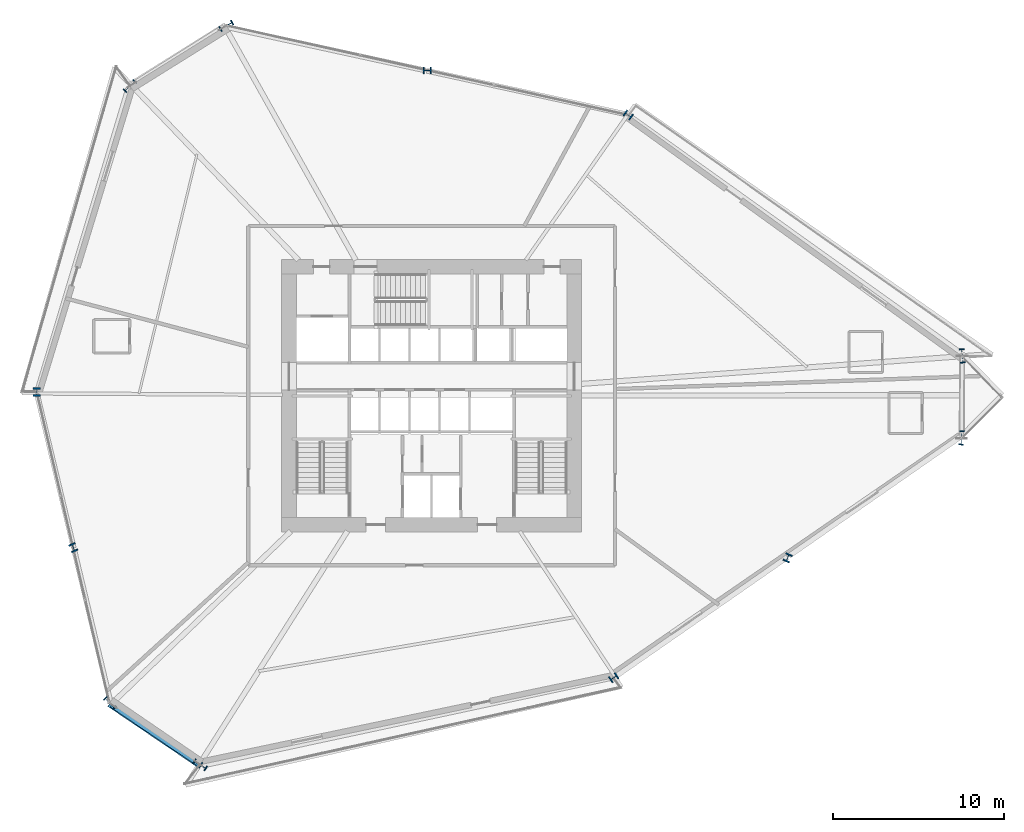
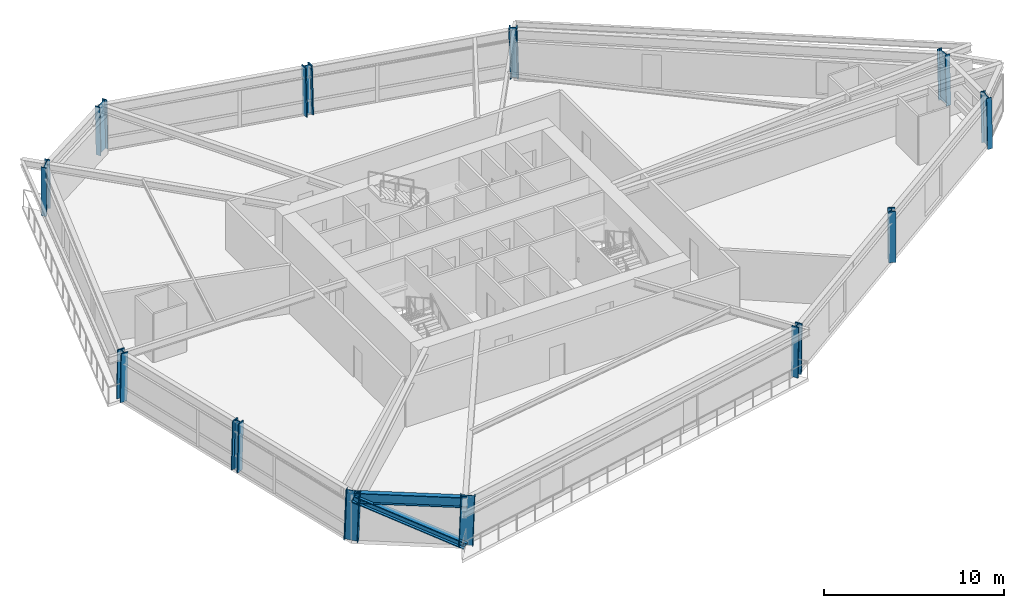
# One storey, part 1 of 24: 12 columns, 1 beam, 1 member.
"""IFC4 building model written with IfcOpenShell, lengths in metres."""

from ifc_helpers import new_model, si_unit, direction, frame, origin, origin_2d, place, context, subcontext, project, spatial, i_section, extrude, source, transform, mapped, material, material_profile, profile_set, type_object, element, save


model = new_model("IFC4")

# Units and contexts
model_context = context("Model", 3, precision=1e-05, world=origin(), true_north=direction((0.0, 1.0)))
body_context = subcontext(model_context, "Body", "Model", "MODEL_VIEW")
ifc_project = project(units=[si_unit("LENGTHUNIT", "METRE"), si_unit("AREAUNIT", "SQUARE_METRE"), si_unit("VOLUMEUNIT", "CUBIC_METRE"), si_unit("PLANEANGLEUNIT", "RADIAN"), si_unit("MASSUNIT", "GRAM", prefix="KILO")], contexts=[model_context])

# Site, building, storey
site_placement = place(None, origin())
site = spatial("IfcSite", under=ifc_project, at=site_placement, CompositionType="ELEMENT")
building_placement = place(site_placement, origin())
building = spatial("IfcBuilding", under=site, at=building_placement, Name="Olszyna Solenne Hotel", CompositionType="ELEMENT")
storey_placement = place(building_placement, frame((0.0, 0.0, 36.39990234375)))
storey = spatial("IfcBuildingStorey", under=building, at=storey_placement, Name="L08", CompositionType="ELEMENT", Elevation=36.39990234375)

# Columns
ifc_material_1 = material(Name="Steel S460M", Category="steel")
ifc_material_profile_1 = material_profile(ifc_material_1, i_section(OverallWidth=0.30810546875, OverallDepth=0.81396484375, WebThickness=0.02099609375, FlangeThickness=0.0400390625, at=origin_2d()), Name="HEM 800", Category="load-bearing")
ifc_profile_set_1 = profile_set([ifc_material_profile_1], Name="Steel S460M")
column_type_1 = type_object("IfcColumnType", Name="COL-K1", PredefinedType="COLUMN", material=ifc_profile_set_1)
shared_shape_1 = source(origin(), body_context, "Body", "SweptSolid", [
    extrude(i_section(OverallWidth=0.30810546875, OverallDepth=0.81396484375, WebThickness=0.02099609375, FlangeThickness=0.0400390625, at=origin_2d()), origin(), (0.0, 0.0, 1.0), 3.3876953125),
])
for number, where, z_axis, x_axis, name in (
    (1, (68.923583984375, 24.10986328125, 0.0), (0.003170921275, 0.039852715116, 0.999200533605), (-0.996849576075, 0.079315336975, 0.0), "Perimeter framed-tube column COL-K1 C-L08-01"),
    (2, (68.96533203125, 28.894287109375, 0.0), (-0.003026781141, 0.039924684572, 0.999198107563), (-0.997138578155, -0.07559534347, 0.0), "Perimeter framed-tube column COL-K1 C-L08-02"),
):
    element("IfcColumn", number, at=place(storey_placement, frame(where, z_axis=z_axis, x_axis=x_axis)), inside=storey, type_object=column_type_1, Name=name, PredefinedType="COLUMN", context=body_context, shape_type="MappedRepresentation", body=[
        mapped(shared_shape_1, transform((0.0, 0.0, 0.0), x_axis=(1.0, 0.0, 0.0), y_axis=(0.0, 1.0, 0.0), z_axis=(0.0, 0.0, 1.0), scale=1.0)),
    ])
ifc_material_profile_2 = material_profile(ifc_material_1, i_section(OverallWidth=0.424072265625, OverallDepth=0.47412109375, WebThickness=0.04296875, FlangeThickness=0.068115234375, at=origin_2d()), Name="HD 400x634", Category="load-bearing")
ifc_profile_set_2 = profile_set([ifc_material_profile_2], Name="Steel S460M")
column_type_2 = type_object("IfcColumnType", Name="COL-T1", PredefinedType="COLUMN", material=ifc_profile_set_2)
shared_shape_2 = source(origin(), body_context, "Body", "SweptSolid", [
    extrude(i_section(OverallWidth=0.424072265625, OverallDepth=0.47412109375, WebThickness=0.04296875, FlangeThickness=0.068115234375, at=origin_2d()), origin(), (0.0, 0.0, 1.0), 3.38623046875),
])
column_1_placement = place(storey_placement, frame((49.4833984375, 42.965087890625, 0.0), z_axis=(-0.021125322681, 0.014780515869, 0.999667573292), x_axis=(-0.573274647321, -0.819363276416, 0.0)))
element("IfcColumn", 3, at=column_1_placement, inside=storey, type_object=column_type_2, Name="Perimeter framed-tube column COL-T1 C-L08-03", PredefinedType="COLUMN", context=body_context, shape_type="MappedRepresentation", body=[
    mapped(shared_shape_2, transform((0.0, 0.0, 0.0), x_axis=(1.0, 0.0, 0.0), y_axis=(0.0, 1.0, 0.0), z_axis=(0.0, 0.0, 1.0), scale=1.0)),
])
shared_shape_3 = source(origin(), body_context, "Body", "SweptSolid", [
    extrude(i_section(OverallWidth=0.424072265625, OverallDepth=0.47412109375, WebThickness=0.04296875, FlangeThickness=0.068115234375, at=origin_2d()), origin(), (0.0, 0.0, 1.0), 3.385986328125),
])
for number, where, z_axis, x_axis, name in (
    (4, (37.7548828125, 45.576904296875, 0.0), (-0.024442747596, -0.000360512501, 0.99970116641), (0.014747658516, -0.999891247371, 0.0), "Perimeter framed-tube column COL-T1 C-L08-04"),
    (5, (48.612060546875, 10.12841796875, 0.0), (0.02119771687, 0.01369920478, 0.999681443555), (-0.54277739367, 0.839876598627, 0.0), "Perimeter framed-tube column COL-T1 C-L08-11"),
):
    element("IfcColumn", number, at=place(storey_placement, frame(where, z_axis=z_axis, x_axis=x_axis)), inside=storey, type_object=column_type_2, Name=name, PredefinedType="COLUMN", context=body_context, shape_type="MappedRepresentation", body=[
        mapped(shared_shape_3, transform((0.0, 0.0, 0.0), x_axis=(1.0, 0.0, 0.0), y_axis=(0.0, 1.0, 0.0), z_axis=(0.0, 0.0, 1.0), scale=1.0)),
    ])
shared_shape_4 = source(origin(), body_context, "Body", "SweptSolid", [
    extrude(i_section(OverallWidth=0.30810546875, OverallDepth=0.81396484375, WebThickness=0.02099609375, FlangeThickness=0.0400390625, at=origin_2d()), origin(), (0.0, 0.0, 1.0), 3.38671875),
])
for number, where, z_axis, x_axis, name in (
    (6, (26.026123046875, 48.18896484375, 0.0), (-0.027825759434, -0.01549880383, 0.999492628383), (0.486603460804, -0.873622957536, 0.0), "Perimeter framed-tube column COL-K1 C-L08-05"),
    (7, (20.399658203125, 44.679443359375, 0.0), (-0.023283745349, -0.022707058158, 0.99947098843), (0.698185352387, -0.715917043876, 0.0), "Perimeter framed-tube column COL-K1 C-L08-06"),
    (8, (24.4794921875, 5.0615234375, 0.0), (0.027824902289, -0.017372542621, 0.99946183998), (0.529603821593, 0.84824512504, 0.0), "Perimeter framed-tube column COL-K1 C-L08-10"),
):
    element("IfcColumn", number, at=place(storey_placement, frame(where, z_axis=z_axis, x_axis=x_axis)), inside=storey, type_object=column_type_1, Name=name, PredefinedType="COLUMN", context=body_context, shape_type="MappedRepresentation", body=[
        mapped(shared_shape_4, transform((0.0, 0.0, 0.0), x_axis=(1.0, 0.0, 0.0), y_axis=(0.0, 1.0, 0.0), z_axis=(0.0, 0.0, 1.0), scale=1.0)),
    ])
shared_shape_5 = source(origin(), body_context, "Body", "SweptSolid", [
    extrude(i_section(OverallWidth=0.424072265625, OverallDepth=0.47412109375, WebThickness=0.04296875, FlangeThickness=0.068115234375, at=origin_2d()), origin(), (0.0, 0.0, 1.0), 3.386474609375),
])
for number, where, z_axis, x_axis, name in (
    (9, (14.955810546875, 26.833251953125, 0.0), (-0.000288368916, -0.029701998397, 0.999558756719), (0.999952873536, -0.009708280326, 0.0), "Perimeter framed-tube column COL-T1 C-L08-07"),
    (10, (17.080810546875, 17.74951171875, 0.0), (0.011462801544, -0.026962816209, 0.999570713218), (0.920286623294, 0.391244847871, 0.0), "Perimeter framed-tube column COL-T1 C-L08-08"),
    (11, (58.767822265625, 17.119140625, 0.0), (0.012183699372, 0.026746464301, 0.999567998746), (-0.910030162055, 0.414542041475, 0.0), "Perimeter framed-tube column COL-T1 C-L08-12"),
):
    element("IfcColumn", number, at=place(storey_placement, frame(where, z_axis=z_axis, x_axis=x_axis)), inside=storey, type_object=column_type_2, Name=name, PredefinedType="COLUMN", context=body_context, shape_type="MappedRepresentation", body=[
        mapped(shared_shape_5, transform((0.0, 0.0, 0.0), x_axis=(1.0, 0.0, 0.0), y_axis=(0.0, 1.0, 0.0), z_axis=(0.0, 0.0, 1.0), scale=1.0)),
    ])
shared_shape_6 = source(origin(), body_context, "Body", "SweptSolid", [
    extrude(i_section(OverallWidth=0.30810546875, OverallDepth=0.81396484375, WebThickness=0.02099609375, FlangeThickness=0.0400390625, at=origin_2d()), origin(), (0.0, 0.0, 1.0), 3.386962890625),
])
column_2_placement = place(storey_placement, frame((19.205810546875, 8.665771484375, 0.0), z_axis=(0.023138869446, -0.024148041323, 0.999440575933), x_axis=(0.722033065516, 0.691858549345, 0.0)))
element("IfcColumn", 12, at=column_2_placement, inside=storey, type_object=column_type_1, Name="Perimeter framed-tube column COL-K1 C-L08-09", PredefinedType="COLUMN", context=body_context, shape_type="MappedRepresentation", body=[
    mapped(shared_shape_6, transform((0.0, 0.0, 0.0), x_axis=(1.0, 0.0, 0.0), y_axis=(0.0, 1.0, 0.0), z_axis=(0.0, 0.0, 1.0), scale=1.0)),
])

# Beam
ifc_material_2 = material(Name="Steel S355J2", Category="steel")
ifc_material_profile_3 = material_profile(ifc_material_2, i_section(OverallWidth=0.300048828125, OverallDepth=0.699951171875, WebThickness=0.01708984375, FlangeThickness=0.031982421875, at=origin_2d()), Name="HEB 700", Category="load-bearing")
ifc_profile_set_3 = profile_set([ifc_material_profile_3], Name="Steel S355J2")
beam_type = type_object("IfcBeamType", Name="BM-S1", PredefinedType="BEAM", material=ifc_profile_set_3)
shared_shape_7 = source(origin(), body_context, "Body", "SweptSolid", [
    extrude(i_section(OverallWidth=0.300048828125, OverallDepth=0.699951171875, WebThickness=0.01708984375, FlangeThickness=0.031982421875, at=origin_2d()), origin(), (0.0, 0.0, 1.0), 6.267578125),
])
beam_placement = place(storey_placement, frame((19.333984375, 8.55029296875, 2.9501953125), z_axis=(0.828055778021, -0.560645724577, 0.0), x_axis=(0.560645724577, 0.828055778021, 0.0)))
element("IfcBeam", 13, at=beam_placement, inside=storey, type_object=beam_type, Name="Perimeter spandrel beam BM-S1 B-L08-0268", PredefinedType="BEAM", context=body_context, shape_type="MappedRepresentation", body=[
    mapped(shared_shape_7, transform((0.0, 0.0, 0.0), x_axis=(1.0, 0.0, 0.0), y_axis=(0.0, 1.0, 0.0), z_axis=(0.0, 0.0, 1.0), scale=1.0)),
])

# Member
ifc_material_profile_4 = material_profile(ifc_material_1, i_section(OverallWidth=0.412109375, OverallDepth=0.43505859375, WebThickness=0.031494140625, FlangeThickness=0.050048828125, at=origin_2d()), Name="HD 400x463", Category="load-bearing")
ifc_profile_set_4 = profile_set([ifc_material_profile_4], Name="Steel S460M")
member_type = type_object("IfcMemberType", Name="BR-T1", PredefinedType="BRACE", material=ifc_profile_set_4)
shared_shape_8 = source(origin(), body_context, "Body", "SweptSolid", [
    extrude(i_section(OverallWidth=0.412109375, OverallDepth=0.43505859375, WebThickness=0.031494140625, FlangeThickness=0.050048828125, at=origin_2d()), origin(), (0.0, 0.0, 1.0), 6.91650390625),
])
member_placement = place(storey_placement, frame((24.4794921875, 5.0615234375, 0.010009765625), z_axis=(-0.751145843748, 0.509282529774, 0.420013364415), x_axis=(-0.561181789346, -0.82769257536, 0.0)))
element("IfcMember", 14, at=member_placement, inside=storey, type_object=member_type, Name="Perimeter braced-tube diagonal BR-T1 BR-L08-3", PredefinedType="BRACE", context=body_context, shape_type="MappedRepresentation", body=[
    mapped(shared_shape_8, transform((0.0, 0.0, 0.0), x_axis=(1.0, 0.0, 0.0), y_axis=(0.0, 1.0, 0.0), z_axis=(0.0, 0.0, 1.0), scale=1.0)),
])

save(model, "model.ifc")
